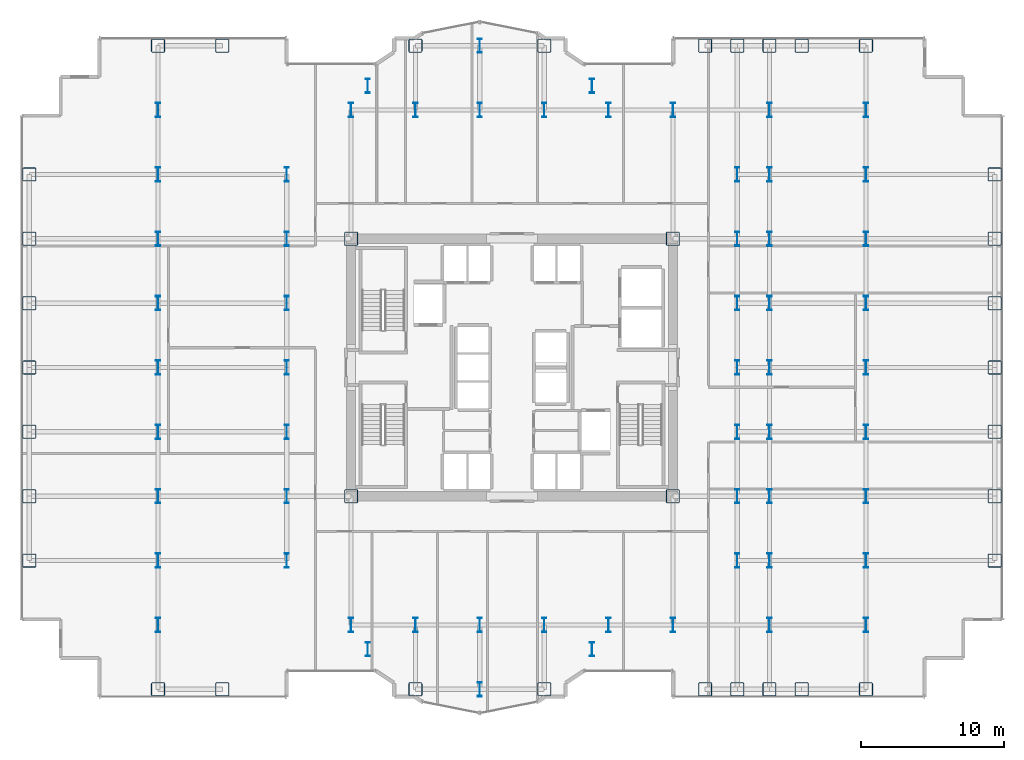
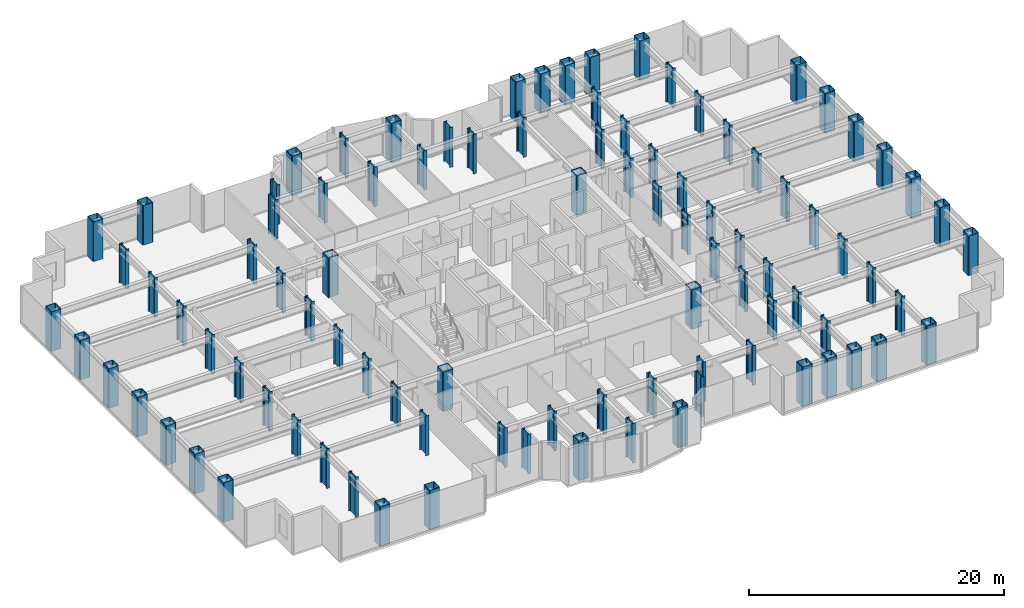
# One storey, part 1 of 26: 95 columns.
"""IFC4 building model written with IfcOpenShell, lengths in metres."""

from ifc_helpers import new_model, si_unit, direction, frame, origin, origin_2d, place, context, subcontext, project, spatial, hollow_rectangle, i_section, extrude, source, transform, mapped, material, material_profile, profile_set, type_object, element, save


model = new_model("IFC4")

# Units and contexts
model_context = context("Model", 3, precision=1e-05, world=origin(), true_north=direction((0.0, 1.0)))
body_context = subcontext(model_context, "Body", "Model", "MODEL_VIEW")
ifc_project = project(units=[si_unit("LENGTHUNIT", "METRE"), si_unit("AREAUNIT", "SQUARE_METRE"), si_unit("VOLUMEUNIT", "CUBIC_METRE"), si_unit("PLANEANGLEUNIT", "RADIAN"), si_unit("MASSUNIT", "GRAM", prefix="KILO")], contexts=[model_context])

# Site, building, storey
site_placement = place(None, origin())
site = spatial("IfcSite", under=ifc_project, at=site_placement, CompositionType="ELEMENT")
building_placement = place(site_placement, origin())
building = spatial("IfcBuilding", under=site, at=building_placement, Name="Nefas-Gora Pilgrimage Tower", CompositionType="ELEMENT")
storey_placement = place(building_placement, frame((0.0, 0.0, 59.60009765625)))
storey = spatial("IfcBuildingStorey", under=building, at=storey_placement, Name="L13", CompositionType="ELEMENT", Elevation=59.60009765625)

# Columns
ifc_material = material(Name="Steel S460", Category="steel")
ifc_material_profile_1 = material_profile(ifc_material, hollow_rectangle(XDim=0.949951171875, YDim=0.949951171875, WallThickness=0.044921875, InnerFilletRadius=0.044921875, OuterFilletRadius=0.090087890625, at=origin_2d()), Name="BOX 950x950x45")
ifc_profile_set_1 = profile_set([ifc_material_profile_1], Name="Steel S460")
column_type_1 = type_object("IfcColumnType", Name="COL-TUBE-950", PredefinedType="COLUMN", material=ifc_profile_set_1)
shared_shape_1 = source(origin(), body_context, "Body", "SweptSolid", [
    extrude(hollow_rectangle(XDim=0.949951171875, YDim=0.949951171875, WallThickness=0.044921875, InnerFilletRadius=0.044921875, OuterFilletRadius=0.090087890625, at=origin_2d()), origin(), (0.0, 0.0, 1.0), 3.7998046875),
])
for number, where, z_axis, x_axis, name in (
    (1, (-33.75, -13.5, 0.0), (0.0, 0.0, 1.0), (1.0, 0.0, 0.0), "L13 Tower Column C-Z1.1"),
    (2, (-33.75, -9.0, 0.0), (0.0, 0.0, 1.0), (1.0, 0.0, 0.0), "L13 Tower Column C-Z1.2"),
    (3, (-33.75, -4.5, 0.0), (0.0, 0.0, 1.0), (1.0, 0.0, 0.0), "L13 Tower Column C-Z1.3"),
    (4, (-33.75, 0.0, 0.0), (0.0, 0.0, 1.0), (1.0, 0.0, 0.0), "L13 Tower Column C-Z1.4"),
    (5, (-33.75, 4.5, 0.0), (0.0, 0.0, 1.0), (1.0, 0.0, 0.0), "L13 Tower Column C-Z1.5"),
    (6, (-33.75, 9.0, 0.0), (0.0, 0.0, 1.0), (1.0, 0.0, 0.0), "L13 Tower Column C-Z1.6"),
    (7, (-33.75, 13.5, 0.0), (0.0, 0.0, 1.0), (1.0, 0.0, 0.0), "L13 Tower Column C-Z1.7"),
    (8, (-24.75, -22.5, 0.0), (0.0, 0.0, 1.0), (1.0, 0.0, 0.0), "L13 Tower Column C-Z1.8"),
    (9, (-24.75, 22.5, 0.0), (0.0, 0.0, 1.0), (1.0, 0.0, 0.0), "L13 Tower Column C-Z1.18"),
    (10, (-20.25, -22.5, 0.0), (0.0, 0.0, 1.0), (1.0, 0.0, 0.0), "L13 Tower Column C-Z1.19"),
    (11, (-20.25, 22.5, 0.0), (0.0, 0.0, 1.0), (1.0, 0.0, 0.0), "L13 Tower Column C-Z1.20"),
    (12, (-6.75, -22.5, 0.0), (0.0, 0.0, 1.0), (1.0, 0.0, 0.0), "L13 Tower Column C-Z1.34"),
    (13, (-6.75, 22.5, 0.0), (0.0, 0.0, 1.0), (1.0, 0.0, 0.0), "L13 Tower Column C-Z1.37"),
    (14, (2.25, -22.5, 0.0), (0.0, 0.0, 1.0), (1.0, 0.0, 0.0), "L13 Tower Column C-Z1.42"),
    (15, (2.25, 22.5, 0.0), (0.0, 0.0, 1.0), (1.0, 0.0, 0.0), "L13 Tower Column C-Z1.45"),
    (16, (13.5, -22.5, 0.0), (0.0, 0.0, 1.0), (1.0, 0.0, 0.0), "L13 Tower Column C-Z1.54"),
    (17, (13.5, 22.5, 0.0), (0.0, 0.0, 1.0), (1.0, 0.0, 0.0), "L13 Tower Column C-Z1.55"),
    (18, (15.75, -22.5, 0.0), (0.0, 0.0, 1.0), (1.0, 0.0, 0.0), "L13 Tower Column C-Z1.56"),
    (19, (15.75, 22.5, 0.0), (0.0, 0.0, 1.0), (1.0, 0.0, 0.0), "L13 Tower Column C-Z1.64"),
    (20, (18.0, -22.5, 0.0), (0.0, 0.0, 1.0), (1.0, 0.0, 0.0), "L13 Tower Column C-Z1.65"),
    (21, (18.0, 22.5, 0.0), (0.0, 0.0, 1.0), (1.0, 0.0, 0.0), "L13 Tower Column C-Z1.75"),
    (22, (20.25, -22.5, 0.0), (0.0, 0.0, 1.0), (1.0, 0.0, 0.0), "L13 Tower Column C-Z1.76"),
    (23, (20.25, 22.5, 0.0), (0.0, 0.0, 1.0), (1.0, 0.0, 0.0), "L13 Tower Column C-Z1.77"),
    (24, (24.75, -22.5, 0.0), (0.0, 0.0, 1.0), (1.0, 0.0, 0.0), "L13 Tower Column C-Z1.78"),
    (25, (24.75, 22.5, 0.0), (0.0, 0.0, 1.0), (1.0, 0.0, 0.0), "L13 Tower Column C-Z1.88"),
    (26, (33.75, -13.5, 0.0), (0.0, 0.0, 1.0), (1.0, 0.0, 0.0), "L13 Tower Column C-Z1.89"),
    (27, (33.75, -9.0, 0.0), (0.0, 0.0, 1.0), (1.0, 0.0, 0.0), "L13 Tower Column C-Z1.90"),
    (28, (33.75, -4.5, 0.0), (0.0, 0.0, 1.0), (1.0, 0.0, 0.0), "L13 Tower Column C-Z1.91"),
    (29, (33.75, 0.0, 0.0), (0.0, 0.0, 1.0), (1.0, 0.0, 0.0), "L13 Tower Column C-Z1.92"),
    (30, (33.75, 4.5, 0.0), (0.0, 0.0, 1.0), (1.0, 0.0, 0.0), "L13 Tower Column C-Z1.93"),
    (31, (33.75, 9.0, 0.0), (0.0, 0.0, 1.0), (1.0, 0.0, 0.0), "L13 Tower Column C-Z1.94"),
    (32, (33.75, 13.5, 0.0), (0.0, 0.0, 1.0), (1.0, 0.0, 0.0), "L13 Tower Column C-Z1.95"),
):
    element("IfcColumn", number, at=place(storey_placement, frame(where, z_axis=z_axis, x_axis=x_axis)), inside=storey, type_object=column_type_1, Name=name, PredefinedType="COLUMN", context=body_context, shape_type="MappedRepresentation", body=[
        mapped(shared_shape_1, transform((0.0, 0.0, 0.0), x_axis=(1.0, 0.0, 0.0), y_axis=(0.0, 1.0, 0.0), z_axis=(0.0, 0.0, 1.0), scale=1.0)),
    ])
ifc_material_profile_2 = material_profile(ifc_material, i_section(OverallWidth=0.302001953125, OverallDepth=1.008056640625, WebThickness=0.02099609375, FlangeThickness=0.0400390625, FilletRadius=0.030029296875, at=origin_2d()), Name="HEM 1000")
ifc_profile_set_2 = profile_set([ifc_material_profile_2], Name="Steel S460")
column_type_2 = type_object("IfcColumnType", Name="COL-WEB-HEM1000", PredefinedType="COLUMN", material=ifc_profile_set_2)
shared_shape_2 = source(origin(), body_context, "Body", "SweptSolid", [
    extrude(i_section(OverallWidth=0.302001953125, OverallDepth=1.008056640625, WebThickness=0.02099609375, FlangeThickness=0.0400390625, FilletRadius=0.030029296875, at=origin_2d()), origin(), (0.0, 0.0, 1.0), 3.7998046875),
])
for number, where, z_axis, x_axis, name in (
    (33, (-24.75, -18.0, 0.0), (0.0, 0.0, 1.0), (1.0, 0.0, 0.0), "L13 Tower Column CW-01.9"),
    (34, (-24.75, -13.5, 0.0), (0.0, 0.0, 1.0), (1.0, 0.0, 0.0), "L13 Tower Column CW-01.10"),
    (35, (-24.75, -9.0, 0.0), (0.0, 0.0, 1.0), (1.0, 0.0, 0.0), "L13 Tower Column CW-01.11"),
    (36, (-24.75, -4.5, 0.0), (0.0, 0.0, 1.0), (1.0, 0.0, 0.0), "L13 Tower Column CW-01.12"),
    (37, (-24.75, 0.0, 0.0), (0.0, 0.0, 1.0), (1.0, 0.0, 0.0), "L13 Tower Column CW-01.13"),
    (38, (-24.75, 4.5, 0.0), (0.0, 0.0, 1.0), (1.0, 0.0, 0.0), "L13 Tower Column CW-01.14"),
    (39, (-24.75, 9.0, 0.0), (0.0, 0.0, 1.0), (1.0, 0.0, 0.0), "L13 Tower Column CW-01.15"),
    (40, (-24.75, 13.5, 0.0), (0.0, 0.0, 1.0), (1.0, 0.0, 0.0), "L13 Tower Column CW-01.16"),
    (41, (-24.75, 18.0, 0.0), (0.0, 0.0, 1.0), (1.0, 0.0, 0.0), "L13 Tower Column CW-01.17"),
    (42, (-15.75, -13.5, 0.0), (0.0, 0.0, 1.0), (1.0, 0.0, 0.0), "L13 Tower Column CW-01.21"),
    (43, (-15.75, -9.0, 0.0), (0.0, 0.0, 1.0), (1.0, 0.0, 0.0), "L13 Tower Column CW-01.22"),
    (44, (-15.75, -4.5, 0.0), (0.0, 0.0, 1.0), (1.0, 0.0, 0.0), "L13 Tower Column CW-01.23"),
    (45, (-15.75, 0.0, 0.0), (0.0, 0.0, 1.0), (1.0, 0.0, 0.0), "L13 Tower Column CW-01.24"),
    (46, (-15.75, 4.5, 0.0), (0.0, 0.0, 1.0), (1.0, 0.0, 0.0), "L13 Tower Column CW-01.25"),
    (47, (-15.75, 9.0, 0.0), (0.0, 0.0, 1.0), (1.0, 0.0, 0.0), "L13 Tower Column CW-01.26"),
    (48, (-15.75, 13.5, 0.0), (0.0, 0.0, 1.0), (1.0, 0.0, 0.0), "L13 Tower Column CW-01.27"),
    (49, (-11.25, -18.0, 0.0), (0.0, 0.0, 1.0), (1.0, 0.0, 0.0), "L13 Tower Column CW-01.28"),
    (50, (-11.25, 18.0, 0.0), (0.0, 0.0, 1.0), (1.0, 0.0, 0.0), "L13 Tower Column CW-01.31"),
    (51, (-10.091064453125, -19.696044921875, 0.0), (0.0, 0.0, 1.0), (1.0, 0.0, 0.0), "L13 Tower Column CW-01.32"),
    (52, (-10.091064453125, 19.696044921875, 0.0), (0.0, 0.0, 1.0), (1.0, 0.0, 0.0), "L13 Tower Column CW-01.33"),
    (53, (-6.75, -18.0, 0.0), (0.0, 0.0, 1.0), (1.0, 0.0, 0.0), "L13 Tower Column CW-01.35"),
    (54, (-6.75, 18.0, 0.0), (0.0, 0.0, 1.0), (1.0, 0.0, 0.0), "L13 Tower Column CW-01.36"),
    (55, (-2.25, -22.5, 0.0), (0.0, 0.0, 1.0), (1.0, 0.0, 0.0), "L13 Tower Column CW-01.38"),
    (56, (-2.25, -18.0, 0.0), (0.0, 0.0, 1.0), (1.0, 0.0, 0.0), "L13 Tower Column CW-01.39"),
    (57, (-2.25, 18.0, 0.0), (0.0, 0.0, 1.0), (1.0, 0.0, 0.0), "L13 Tower Column CW-01.40"),
    (58, (-2.25, 22.5, 0.0), (0.0, 0.0, 1.0), (1.0, 0.0, 0.0), "L13 Tower Column CW-01.41"),
    (59, (2.25, -18.0, 0.0), (0.0, 0.0, 1.0), (1.0, 0.0, 0.0), "L13 Tower Column CW-01.43"),
    (60, (2.25, 18.0, 0.0), (0.0, 0.0, 1.0), (1.0, 0.0, 0.0), "L13 Tower Column CW-01.44"),
    (61, (5.591064453125, -19.696044921875, 0.0), (0.0, 0.0, 1.0), (1.0, 0.0, 0.0), "L13 Tower Column CW-01.46"),
    (62, (5.591064453125, 19.696044921875, 0.0), (0.0, 0.0, 1.0), (1.0, 0.0, 0.0), "L13 Tower Column CW-01.47"),
    (63, (6.75, -18.0, 0.0), (0.0, 0.0, 1.0), (1.0, 0.0, 0.0), "L13 Tower Column CW-01.48"),
    (64, (6.75, 18.0, 0.0), (0.0, 0.0, 1.0), (1.0, 0.0, 0.0), "L13 Tower Column CW-01.49"),
    (65, (11.25, -18.0, 0.0), (0.0, 0.0, 1.0), (1.0, 0.0, 0.0), "L13 Tower Column CW-01.50"),
    (66, (11.25, 18.0, 0.0), (0.0, 0.0, 1.0), (1.0, 0.0, 0.0), "L13 Tower Column CW-01.53"),
    (67, (15.75, -13.5, 0.0), (0.0, 0.0, 1.0), (1.0, 0.0, 0.0), "L13 Tower Column CW-01.57"),
    (68, (15.75, -9.0, 0.0), (0.0, 0.0, 1.0), (1.0, 0.0, 0.0), "L13 Tower Column CW-01.58"),
    (69, (15.75, -4.5, 0.0), (0.0, 0.0, 1.0), (1.0, 0.0, 0.0), "L13 Tower Column CW-01.59"),
    (70, (15.75, 0.0, 0.0), (0.0, 0.0, 1.0), (1.0, 0.0, 0.0), "L13 Tower Column CW-01.60"),
    (71, (15.75, 4.5, 0.0), (0.0, 0.0, 1.0), (1.0, 0.0, 0.0), "L13 Tower Column CW-01.61"),
    (72, (15.75, 9.0, 0.0), (0.0, 0.0, 1.0), (1.0, 0.0, 0.0), "L13 Tower Column CW-01.62"),
    (73, (15.75, 13.5, 0.0), (0.0, 0.0, 1.0), (1.0, 0.0, 0.0), "L13 Tower Column CW-01.63"),
    (74, (18.0, -18.0, 0.0), (0.0, 0.0, 1.0), (1.0, 0.0, 0.0), "L13 Tower Column CW-01.66"),
    (75, (18.0, -13.5, 0.0), (0.0, 0.0, 1.0), (1.0, 0.0, 0.0), "L13 Tower Column CW-01.67"),
    (76, (18.0, -9.0, 0.0), (0.0, 0.0, 1.0), (1.0, 0.0, 0.0), "L13 Tower Column CW-01.68"),
    (77, (18.0, -4.5, 0.0), (0.0, 0.0, 1.0), (1.0, 0.0, 0.0), "L13 Tower Column CW-01.69"),
    (78, (18.0, 0.0, 0.0), (0.0, 0.0, 1.0), (1.0, 0.0, 0.0), "L13 Tower Column CW-01.70"),
    (79, (18.0, 4.5, 0.0), (0.0, 0.0, 1.0), (1.0, 0.0, 0.0), "L13 Tower Column CW-01.71"),
    (80, (18.0, 9.0, 0.0), (0.0, 0.0, 1.0), (1.0, 0.0, 0.0), "L13 Tower Column CW-01.72"),
    (81, (18.0, 13.5, 0.0), (0.0, 0.0, 1.0), (1.0, 0.0, 0.0), "L13 Tower Column CW-01.73"),
    (82, (18.0, 18.0, 0.0), (0.0, 0.0, 1.0), (1.0, 0.0, 0.0), "L13 Tower Column CW-01.74"),
    (83, (24.75, -18.0, 0.0), (0.0, 0.0, 1.0), (1.0, 0.0, 0.0), "L13 Tower Column CW-01.79"),
    (84, (24.75, -13.5, 0.0), (0.0, 0.0, 1.0), (1.0, 0.0, 0.0), "L13 Tower Column CW-01.80"),
    (85, (24.75, -9.0, 0.0), (0.0, 0.0, 1.0), (1.0, 0.0, 0.0), "L13 Tower Column CW-01.81"),
    (86, (24.75, -4.5, 0.0), (0.0, 0.0, 1.0), (1.0, 0.0, 0.0), "L13 Tower Column CW-01.82"),
    (87, (24.75, 0.0, 0.0), (0.0, 0.0, 1.0), (1.0, 0.0, 0.0), "L13 Tower Column CW-01.83"),
    (88, (24.75, 4.5, 0.0), (0.0, 0.0, 1.0), (1.0, 0.0, 0.0), "L13 Tower Column CW-01.84"),
    (89, (24.75, 9.0, 0.0), (0.0, 0.0, 1.0), (1.0, 0.0, 0.0), "L13 Tower Column CW-01.85"),
    (90, (24.75, 13.5, 0.0), (0.0, 0.0, 1.0), (1.0, 0.0, 0.0), "L13 Tower Column CW-01.86"),
    (91, (24.75, 18.0, 0.0), (0.0, 0.0, 1.0), (1.0, 0.0, 0.0), "L13 Tower Column CW-01.87"),
):
    element("IfcColumn", number, at=place(storey_placement, frame(where, z_axis=z_axis, x_axis=x_axis)), inside=storey, type_object=column_type_2, Name=name, PredefinedType="COLUMN", context=body_context, shape_type="MappedRepresentation", body=[
        mapped(shared_shape_2, transform((0.0, 0.0, 0.0), x_axis=(1.0, 0.0, 0.0), y_axis=(0.0, 1.0, 0.0), z_axis=(0.0, 0.0, 1.0), scale=1.0)),
    ])
ifc_material_profile_3 = material_profile(ifc_material, hollow_rectangle(XDim=0.949951171875, YDim=0.949951171875, WallThickness=0.044921875, InnerFilletRadius=0.044921875, OuterFilletRadius=0.090087890625, at=origin_2d()), Name="BOX 950x950x45")
ifc_profile_set_3 = profile_set([ifc_material_profile_3], Name="Steel S460")
column_type_3 = type_object("IfcColumnType", Name="COL-CORE-950", PredefinedType="COLUMN", material=ifc_profile_set_3)
shared_shape_3 = source(origin(), body_context, "Body", "SweptSolid", [
    extrude(hollow_rectangle(XDim=0.949951171875, YDim=0.949951171875, WallThickness=0.044921875, InnerFilletRadius=0.044921875, OuterFilletRadius=0.090087890625, at=origin_2d()), origin(), (0.0, 0.0, 1.0), 3.7998046875),
])
for number, where, z_axis, x_axis, name in (
    (92, (-11.25, -9.0, 0.0), (0.0, 0.0, 1.0), (1.0, 0.0, 0.0), "L13 Tower Column CC-Z1.29"),
    (93, (-11.25, 9.0, 0.0), (0.0, 0.0, 1.0), (1.0, 0.0, 0.0), "L13 Tower Column CC-Z1.30"),
    (94, (11.25, -9.0, 0.0), (0.0, 0.0, 1.0), (1.0, 0.0, 0.0), "L13 Tower Column CC-Z1.51"),
    (95, (11.25, 9.0, 0.0), (0.0, 0.0, 1.0), (1.0, 0.0, 0.0), "L13 Tower Column CC-Z1.52"),
):
    element("IfcColumn", number, at=place(storey_placement, frame(where, z_axis=z_axis, x_axis=x_axis)), inside=storey, type_object=column_type_3, Name=name, PredefinedType="COLUMN", context=body_context, shape_type="MappedRepresentation", body=[
        mapped(shared_shape_3, transform((0.0, 0.0, 0.0), x_axis=(1.0, 0.0, 0.0), y_axis=(0.0, 1.0, 0.0), z_axis=(0.0, 0.0, 1.0), scale=1.0)),
    ])

save(model, "model.ifc")
